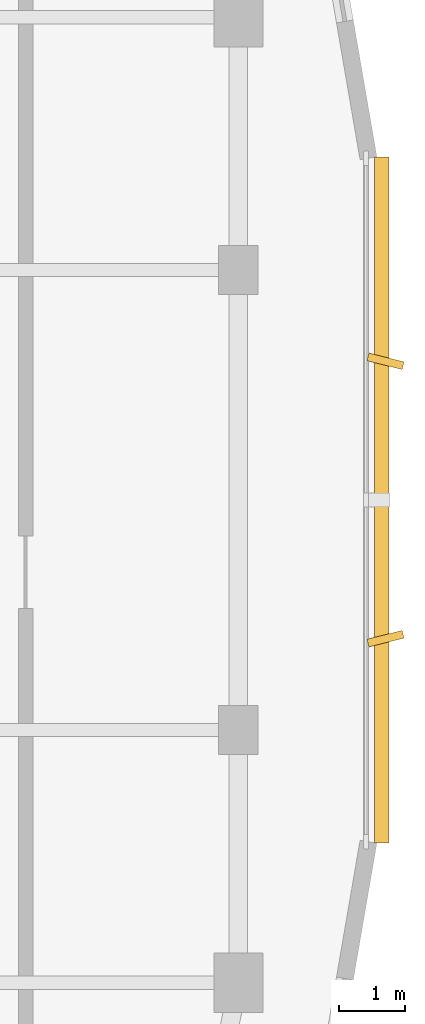
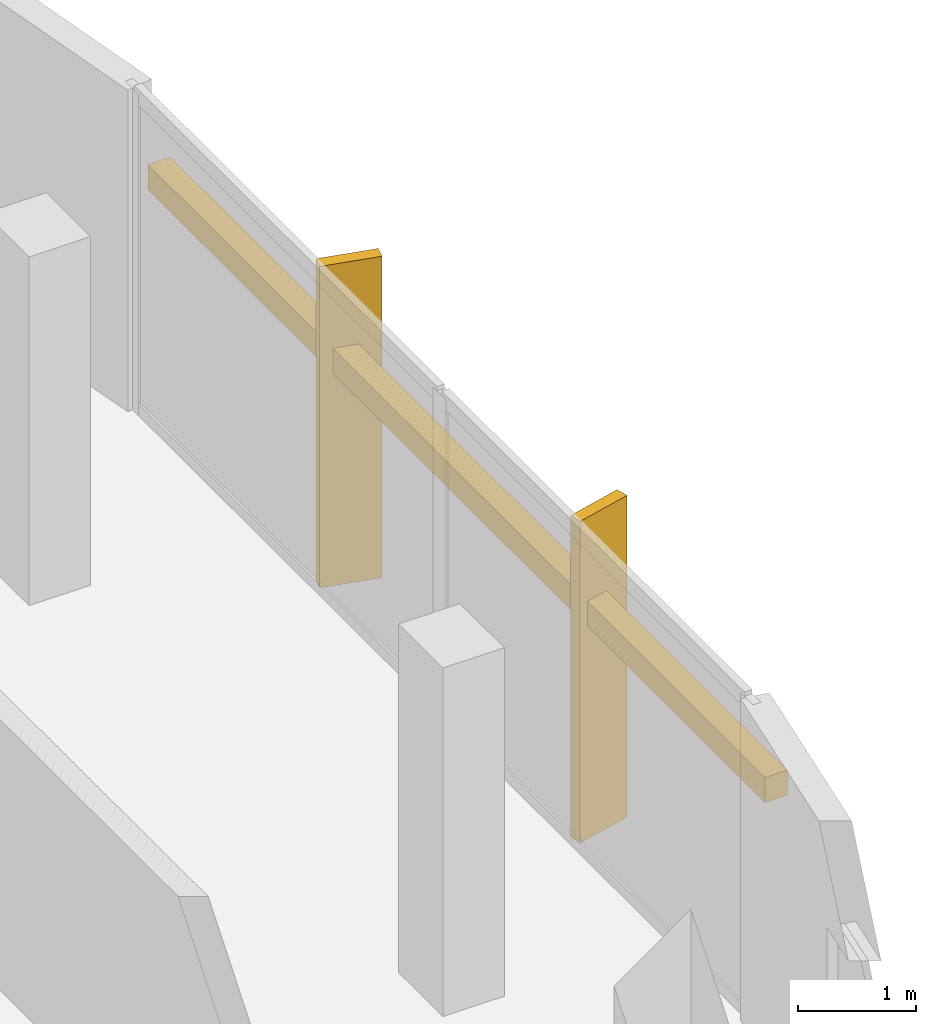
# One storey, part 10 of 10: 3 shading devices.
"""IFC4 building model written with IfcOpenShell, lengths in metres."""

from ifc_helpers import new_model, si_unit, derived_unit, direction, frame, origin, origin_2d, place, context, subcontext, project, spatial, rectangle, extrude, material, type_object, element, save


model = new_model("IFC4")

# Units and contexts
model_context = context("Model", 3, precision=1e-05, world=origin(), true_north=direction((0.0, 1.0)))
body_context = subcontext(model_context, "Body", "Model", "MODEL_VIEW")
ifc_project = project(units=[si_unit("LENGTHUNIT", "METRE"), si_unit("AREAUNIT", "SQUARE_METRE"), si_unit("VOLUMEUNIT", "CUBIC_METRE"), si_unit("PLANEANGLEUNIT", "RADIAN"), si_unit("MASSUNIT", "GRAM", prefix="KILO"), derived_unit("THERMALTRANSMITTANCEUNIT", [(si_unit("POWERUNIT", "WATT"), 1), (si_unit("LENGTHUNIT", "METRE"), -2), (si_unit("THERMODYNAMICTEMPERATUREUNIT", "KELVIN"), -1)])], contexts=[model_context])

# Site, building, storey
site_placement = place(None, origin())
site = spatial("IfcSite", under=ifc_project, at=site_placement, CompositionType="ELEMENT")
building_placement = place(site_placement, origin())
building = spatial("IfcBuilding", under=site, at=building_placement, Name="Kivonza Crest Hotel", CompositionType="ELEMENT")
storey_placement = place(building_placement, frame((0.0, 0.0, 264.800048828125)))
storey = spatial("IfcBuildingStorey", under=building, at=storey_placement, Name="L72", CompositionType="ELEMENT", Elevation=264.800048828125)

# Shading devices
ifc_material_1 = material(Name="Kiln-fired Nairobi red-ochre terracotta", Category="masonry")
shading_device_type_1 = type_object("IfcShadingDeviceType", Name="SH-BAGUETTE-300", PredefinedType="USERDEFINED", material=ifc_material_1)
shading_device_placement = place(storey_placement, frame((37.97998046875, 25.0, 2.19384765625), z_axis=(0.0, 0.0, 1.0), x_axis=(0.0, 1.0, 0.0)))
element("IfcShadingDevice", 1, at=shading_device_placement, inside=storey, type_object=shading_device_type_1, Name="L72 terracotta baguette screen CW-T1-L72-17", ObjectType="BAGUETTE", PredefinedType="USERDEFINED", context=body_context, shape_type="SweptSolid", body=[
    extrude(rectangle(XDim=10.43994140625, YDim=0.219970703125, at=origin_2d()), origin(), (0.0, 0.0, 1.0), 0.260009765625),
])
ifc_material_2 = material(Name="Kiln-fired terracotta over extruded aluminium spine", Category="masonry")
shading_device_type_2 = type_object("IfcShadingDeviceType", Name="SH-FIN-550", PredefinedType="USERDEFINED", material=ifc_material_2)
for number, where, z_axis, x_axis, name in (
    (2, (38.0400390625, 22.887939453125, 0.0), (0.0, 0.0, 1.0), (-0.2419218956, 0.970295726276, 0.0), "L72 vertical solar shading fin CW-T1-L72-17-1"),
    (3, (38.0400390625, 27.112060546875, 0.0), (0.0, 0.0, 1.0), (0.2419218956, 0.970295726276, 0.0), "L72 vertical solar shading fin CW-T1-L72-17-2"),
):
    element("IfcShadingDevice", number, at=place(storey_placement, frame(where, z_axis=z_axis, x_axis=x_axis)), inside=storey, type_object=shading_device_type_2, Name=name, ObjectType="FIN", PredefinedType="USERDEFINED", context=body_context, shape_type="SweptSolid", body=[
        extrude(rectangle(XDim=0.1201171875, YDim=0.550048828125, at=origin_2d()), origin(), (0.0, 0.0, 1.0), 3.320068359375),
    ])

save(model, "model.ifc")
